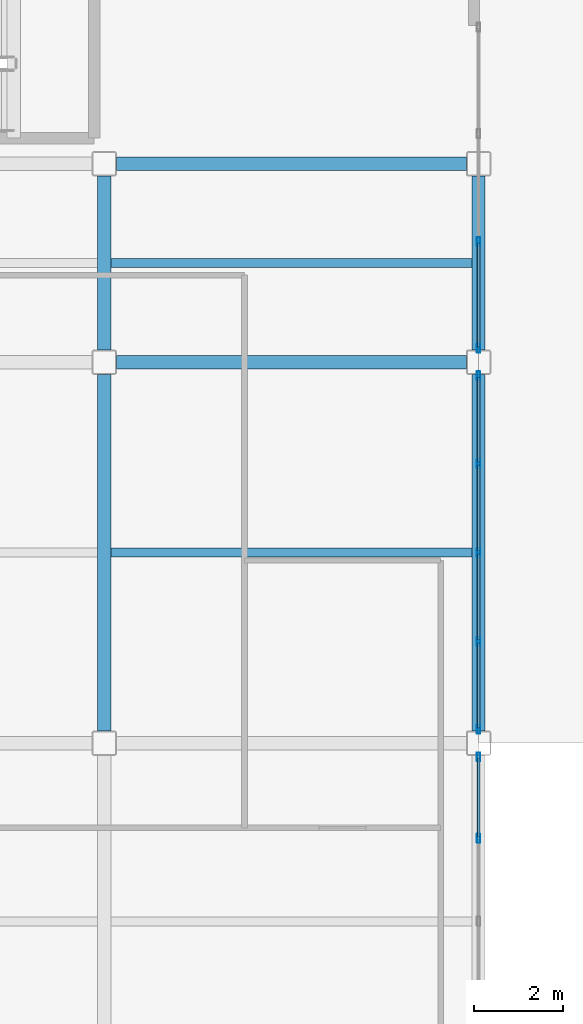
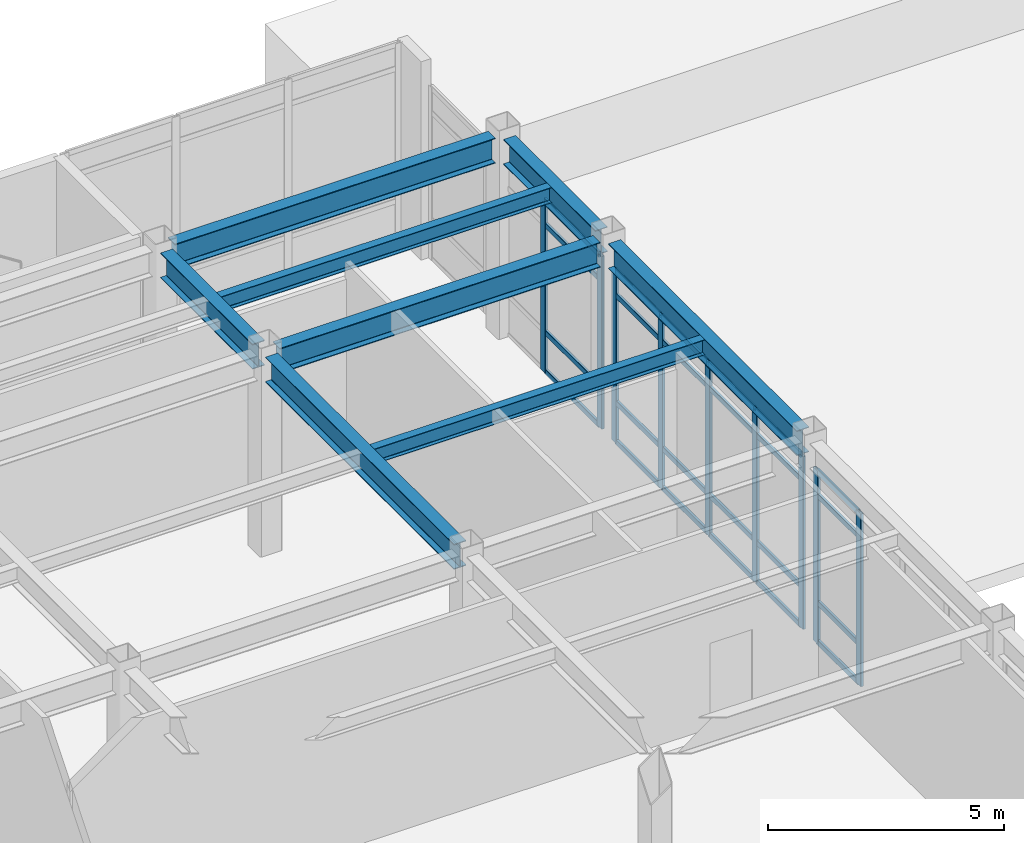
# One storey, part 80 of 165: 33 members, 8 beams, 3 elements without a shape of their own.
"""IFC4 building model written with IfcOpenShell, lengths in metres."""

from ifc_helpers import new_model, si_unit, direction, frame, origin, origin_2d, place, context, subcontext, project, spatial, hollow_rectangle, i_section, extrude, material, layer, layer_set, material_profile, profile_set, type_object, element, aggregate, save


model = new_model("IFC4")

# Units and contexts
model_context = context("Model", 3, precision=1e-05, world=origin(), true_north=direction((0.0, 1.0)))
body_context = subcontext(model_context, "Body", "Model", "MODEL_VIEW")
ifc_project = project(units=[si_unit("LENGTHUNIT", "METRE"), si_unit("AREAUNIT", "SQUARE_METRE"), si_unit("VOLUMEUNIT", "CUBIC_METRE"), si_unit("PLANEANGLEUNIT", "RADIAN"), si_unit("MASSUNIT", "GRAM", prefix="KILO")], contexts=[model_context])

# Site, building, storey
site_placement = place(None, origin())
site = spatial("IfcSite", under=ifc_project, at=site_placement, CompositionType="ELEMENT")
building_placement = place(site_placement, origin())
building = spatial("IfcBuilding", under=site, at=building_placement, Name="Kazehara Bluff Congress Hotel", CompositionType="ELEMENT")
storey_placement = place(building_placement, origin())
storey = spatial("IfcBuildingStorey", under=building, at=storey_placement, Name="L00", CompositionType="ELEMENT", Elevation=0.0)

# Curtain wall, members
ifc_material_1 = material(Name="Anodised aluminium", Category="aluminium")
ifc_layer_1 = layer(ifc_material_1, 0.159912109375)
ifc_layer_set_1 = layer_set([ifc_layer_1], Name="Anodised aluminium")
curtain_wall_type_1 = type_object("IfcCurtainWallType", Name="TP-CW-40", PredefinedType="NOTDEFINED", material=ifc_layer_set_1)
curtain_wall_1_placement = place(storey_placement, origin())
curtain_wall_1 = element("IfcCurtainWall", 1, at=curtain_wall_1_placement, inside=storey, type_object=curtain_wall_type_1, Name="L00 curtain wall CW-40 CW-V3-L00-X10125-8918", PredefinedType="NOTDEFINED")
ifc_material_2 = material(Name="Anodised aluminium", Category="aluminium")
ifc_material_profile_1 = material_profile(ifc_material_2, hollow_rectangle(XDim=0.070068359375, YDim=0.199951171875, WallThickness=0.0048828125, InnerFilletRadius=0.0048828125, OuterFilletRadius=0.010009765625, at=origin_2d()))
ifc_profile_set_1 = profile_set([ifc_material_profile_1], Name="Anodised aluminium")
member_type_1 = type_object("IfcMemberType", Name="TP-CWM-03", PredefinedType="MULLION", material=ifc_profile_set_1)
member_1_placement = place(storey_placement, frame((101.25, 94.762451171875, 0.0), z_axis=(0.0, 0.0, 1.0), x_axis=(-1.0, 0.0, 0.0)))
member_1 = element("IfcMember", 2, at=member_1_placement, type_object=member_type_1, Name="CW-40 mullion 4", PredefinedType="MULLION", context=body_context, shape_type="SweptSolid", body=[
    extrude(hollow_rectangle(XDim=0.070068359375, YDim=0.199951171875, WallThickness=0.0048828125, InnerFilletRadius=0.0048828125, OuterFilletRadius=0.010009765625, at=origin_2d()), origin(), (0.0, 0.0, 1.0), 4.47509765625),
])
member_2_placement = place(storey_placement, frame((101.25, 96.590087890625, 0.0), z_axis=(0.0, 0.0, 1.0), x_axis=(-1.0, 0.0, 0.0)))
member_2 = element("IfcMember", 3, at=member_2_placement, type_object=member_type_1, Name="CW-40 mullion 5", PredefinedType="MULLION", context=body_context, shape_type="SweptSolid", body=[
    extrude(hollow_rectangle(XDim=0.070068359375, YDim=0.199951171875, WallThickness=0.0048828125, InnerFilletRadius=0.0048828125, OuterFilletRadius=0.010009765625, at=origin_2d()), origin(), (0.0, 0.0, 1.0), 4.47509765625),
])

ifc_material_3 = material(Name="Anodised aluminium", Category="aluminium")
ifc_layer_2 = layer(ifc_material_3, 0.159912109375)
ifc_layer_set_2 = layer_set([ifc_layer_2], Name="Anodised aluminium")
curtain_wall_type_2 = type_object("IfcCurtainWallType", Name="TP-CW-41", PredefinedType="NOTDEFINED", material=ifc_layer_set_2)
curtain_wall_2_placement = place(storey_placement, origin())
curtain_wall_2 = element("IfcCurtainWall", 4, at=curtain_wall_2_placement, inside=storey, type_object=curtain_wall_type_2, Name="L00 curtain wall CW-41 CW-V3-L00-X10125-9718", PredefinedType="NOTDEFINED")
member_3_placement = place(storey_placement, frame((101.25, 97.2099609375, 0.0), z_axis=(0.0, 0.0, 1.0), x_axis=(-1.0, 0.0, 0.0)))
member_3 = element("IfcMember", 5, at=member_3_placement, type_object=member_type_1, Name="CW-41 mullion 1", PredefinedType="MULLION", context=body_context, shape_type="SweptSolid", body=[
    extrude(hollow_rectangle(XDim=0.070068359375, YDim=0.199951171875, WallThickness=0.0048828125, InnerFilletRadius=0.0048828125, OuterFilletRadius=0.010009765625, at=origin_2d()), origin(), (0.0, 0.0, 1.0), 4.47509765625),
])
member_4_placement = place(storey_placement, frame((101.25, 99.175048828125, 0.0), z_axis=(0.0, 0.0, 1.0), x_axis=(-1.0, 0.0, 0.0)))
member_4 = element("IfcMember", 6, at=member_4_placement, type_object=member_type_1, Name="CW-41 mullion 2", PredefinedType="MULLION", context=body_context, shape_type="SweptSolid", body=[
    extrude(hollow_rectangle(XDim=0.070068359375, YDim=0.199951171875, WallThickness=0.0048828125, InnerFilletRadius=0.0048828125, OuterFilletRadius=0.010009765625, at=origin_2d()), origin(), (0.0, 0.0, 1.0), 4.47509765625),
])
member_5_placement = place(storey_placement, frame((101.25, 101.175048828125, 0.0), z_axis=(0.0, 0.0, 1.0), x_axis=(-1.0, 0.0, 0.0)))
member_5 = element("IfcMember", 7, at=member_5_placement, type_object=member_type_1, Name="CW-41 mullion 3", PredefinedType="MULLION", context=body_context, shape_type="SweptSolid", body=[
    extrude(hollow_rectangle(XDim=0.070068359375, YDim=0.199951171875, WallThickness=0.0048828125, InnerFilletRadius=0.0048828125, OuterFilletRadius=0.010009765625, at=origin_2d()), origin(), (0.0, 0.0, 1.0), 4.47509765625),
])
member_6_placement = place(storey_placement, frame((101.25, 103.175048828125, 0.0), z_axis=(0.0, 0.0, 1.0), x_axis=(-1.0, 0.0, 0.0)))
member_6 = element("IfcMember", 8, at=member_6_placement, type_object=member_type_1, Name="CW-41 mullion 4", PredefinedType="MULLION", context=body_context, shape_type="SweptSolid", body=[
    extrude(hollow_rectangle(XDim=0.070068359375, YDim=0.199951171875, WallThickness=0.0048828125, InnerFilletRadius=0.0048828125, OuterFilletRadius=0.010009765625, at=origin_2d()), origin(), (0.0, 0.0, 1.0), 4.47509765625),
])
member_7_placement = place(storey_placement, frame((101.25, 105.139892578125, 0.0), z_axis=(0.0, 0.0, 1.0), x_axis=(-1.0, 0.0, 0.0)))
member_7 = element("IfcMember", 9, at=member_7_placement, type_object=member_type_1, Name="CW-41 mullion 5", PredefinedType="MULLION", context=body_context, shape_type="SweptSolid", body=[
    extrude(hollow_rectangle(XDim=0.070068359375, YDim=0.199951171875, WallThickness=0.0048828125, InnerFilletRadius=0.0048828125, OuterFilletRadius=0.010009765625, at=origin_2d()), origin(), (0.0, 0.0, 1.0), 4.47509765625),
])

ifc_material_4 = material(Name="Anodised aluminium", Category="aluminium")
ifc_layer_3 = layer(ifc_material_4, 0.159912109375)
ifc_layer_set_3 = layer_set([ifc_layer_3], Name="Anodised aluminium")
curtain_wall_type_3 = type_object("IfcCurtainWallType", Name="TP-CW-42", PredefinedType="NOTDEFINED", material=ifc_layer_set_3)
curtain_wall_3_placement = place(storey_placement, origin())
curtain_wall_3 = element("IfcCurtainWall", 10, at=curtain_wall_3_placement, inside=storey, type_object=curtain_wall_type_3, Name="L00 curtain wall CW-42 CW-V3-L00-X10125-10572", PredefinedType="NOTDEFINED")
member_8_placement = place(storey_placement, frame((101.25, 105.760009765625, 0.0), z_axis=(0.0, 0.0, 1.0), x_axis=(-1.0, 0.0, 0.0)))
member_8 = element("IfcMember", 11, at=member_8_placement, type_object=member_type_1, Name="CW-42 mullion 1", PredefinedType="MULLION", context=body_context, shape_type="SweptSolid", body=[
    extrude(hollow_rectangle(XDim=0.070068359375, YDim=0.199951171875, WallThickness=0.0048828125, InnerFilletRadius=0.0048828125, OuterFilletRadius=0.010009765625, at=origin_2d()), origin(), (0.0, 0.0, 1.0), 4.47509765625),
])
member_9_placement = place(storey_placement, frame((101.25, 108.14990234375, 0.0), z_axis=(0.0, 0.0, 1.0), x_axis=(-1.0, 0.0, 0.0)))
member_9 = element("IfcMember", 12, at=member_9_placement, type_object=member_type_1, Name="CW-42 mullion 2", PredefinedType="MULLION", context=body_context, shape_type="SweptSolid", body=[
    extrude(hollow_rectangle(XDim=0.070068359375, YDim=0.199951171875, WallThickness=0.0048828125, InnerFilletRadius=0.0048828125, OuterFilletRadius=0.010009765625, at=origin_2d()), origin(), (0.0, 0.0, 1.0), 4.47509765625),
])

# Member
ifc_material_5 = material(Name="Anodised aluminium", Category="aluminium")
ifc_material_profile_2 = material_profile(ifc_material_5, hollow_rectangle(XDim=0.06494140625, YDim=0.139892578125, WallThickness=0.00390625, InnerFilletRadius=0.00390625, OuterFilletRadius=0.008056640625, at=origin_2d()))
ifc_profile_set_2 = profile_set([ifc_material_profile_2], Name="Anodised aluminium")
member_type_2 = type_object("IfcMemberType", Name="TP-CWT-02", PredefinedType="USERDEFINED", material=ifc_profile_set_2)
member_10_placement = place(storey_placement, frame((101.25, 94.797607421875, 0.032470703125), z_axis=(0.0, 1.0, 0.0), x_axis=(-1.0, 0.0, 0.0)))
member_10 = element("IfcMember", 13, at=member_10_placement, type_object=member_type_2, Name="CW-40 transom 4.1", ObjectType="TRANSOM", PredefinedType="USERDEFINED", context=body_context, shape_type="SweptSolid", body=[
    extrude(hollow_rectangle(XDim=0.06494140625, YDim=0.139892578125, WallThickness=0.00390625, InnerFilletRadius=0.00390625, OuterFilletRadius=0.008056640625, at=origin_2d()), origin(), (0.0, 0.0, 1.0), 1.75732421875),
])

member_11_placement = place(storey_placement, frame((101.25, 94.797607421875, 1.050048828125), z_axis=(0.0, 1.0, 0.0), x_axis=(-1.0, 0.0, 0.0)))
member_11 = element("IfcMember", 14, at=member_11_placement, type_object=member_type_2, Name="CW-40 transom 4.2", ObjectType="TRANSOM", PredefinedType="USERDEFINED", context=body_context, shape_type="SweptSolid", body=[
    extrude(hollow_rectangle(XDim=0.06494140625, YDim=0.139892578125, WallThickness=0.00390625, InnerFilletRadius=0.00390625, OuterFilletRadius=0.008056640625, at=origin_2d()), origin(), (0.0, 0.0, 1.0), 1.75732421875),
])

member_12_placement = place(storey_placement, frame((101.25, 94.797607421875, 3.824951171875), z_axis=(0.0, 1.0, 0.0), x_axis=(-1.0, 0.0, 0.0)))
member_12 = element("IfcMember", 15, at=member_12_placement, type_object=member_type_2, Name="CW-40 transom 4.3", ObjectType="TRANSOM", PredefinedType="USERDEFINED", context=body_context, shape_type="SweptSolid", body=[
    extrude(hollow_rectangle(XDim=0.06494140625, YDim=0.139892578125, WallThickness=0.00390625, InnerFilletRadius=0.00390625, OuterFilletRadius=0.008056640625, at=origin_2d()), origin(), (0.0, 0.0, 1.0), 1.75732421875),
])

member_13_placement = place(storey_placement, frame((101.25, 94.797607421875, 4.4423828125), z_axis=(0.0, 1.0, 0.0), x_axis=(-1.0, 0.0, 0.0)))
member_13 = element("IfcMember", 16, at=member_13_placement, type_object=member_type_2, Name="CW-40 transom 4.4", ObjectType="TRANSOM", PredefinedType="USERDEFINED", context=body_context, shape_type="SweptSolid", body=[
    extrude(hollow_rectangle(XDim=0.06494140625, YDim=0.139892578125, WallThickness=0.00390625, InnerFilletRadius=0.00390625, OuterFilletRadius=0.008056640625, at=origin_2d()), origin(), (0.0, 0.0, 1.0), 1.75732421875),
])

aggregate(curtain_wall_1, [member_1, member_2, member_10, member_11, member_12, member_13])

member_14_placement = place(storey_placement, frame((101.25, 97.2451171875, 0.032470703125), z_axis=(0.0, 1.0, 0.0), x_axis=(-1.0, 0.0, 0.0)))
member_14 = element("IfcMember", 17, at=member_14_placement, type_object=member_type_2, Name="CW-41 transom 1.1", ObjectType="TRANSOM", PredefinedType="USERDEFINED", context=body_context, shape_type="SweptSolid", body=[
    extrude(hollow_rectangle(XDim=0.06494140625, YDim=0.139892578125, WallThickness=0.00390625, InnerFilletRadius=0.00390625, OuterFilletRadius=0.008056640625, at=origin_2d()), origin(), (0.0, 0.0, 1.0), 1.894775390625),
])

member_15_placement = place(storey_placement, frame((101.25, 97.2451171875, 1.050048828125), z_axis=(0.0, 1.0, 0.0), x_axis=(-1.0, 0.0, 0.0)))
member_15 = element("IfcMember", 18, at=member_15_placement, type_object=member_type_2, Name="CW-41 transom 1.2", ObjectType="TRANSOM", PredefinedType="USERDEFINED", context=body_context, shape_type="SweptSolid", body=[
    extrude(hollow_rectangle(XDim=0.06494140625, YDim=0.139892578125, WallThickness=0.00390625, InnerFilletRadius=0.00390625, OuterFilletRadius=0.008056640625, at=origin_2d()), origin(), (0.0, 0.0, 1.0), 1.894775390625),
])

member_16_placement = place(storey_placement, frame((101.25, 97.2451171875, 3.824951171875), z_axis=(0.0, 1.0, 0.0), x_axis=(-1.0, 0.0, 0.0)))
member_16 = element("IfcMember", 19, at=member_16_placement, type_object=member_type_2, Name="CW-41 transom 1.3", ObjectType="TRANSOM", PredefinedType="USERDEFINED", context=body_context, shape_type="SweptSolid", body=[
    extrude(hollow_rectangle(XDim=0.06494140625, YDim=0.139892578125, WallThickness=0.00390625, InnerFilletRadius=0.00390625, OuterFilletRadius=0.008056640625, at=origin_2d()), origin(), (0.0, 0.0, 1.0), 1.894775390625),
])

member_17_placement = place(storey_placement, frame((101.25, 97.2451171875, 4.4423828125), z_axis=(0.0, 1.0, 0.0), x_axis=(-1.0, 0.0, 0.0)))
member_17 = element("IfcMember", 20, at=member_17_placement, type_object=member_type_2, Name="CW-41 transom 1.4", ObjectType="TRANSOM", PredefinedType="USERDEFINED", context=body_context, shape_type="SweptSolid", body=[
    extrude(hollow_rectangle(XDim=0.06494140625, YDim=0.139892578125, WallThickness=0.00390625, InnerFilletRadius=0.00390625, OuterFilletRadius=0.008056640625, at=origin_2d()), origin(), (0.0, 0.0, 1.0), 1.894775390625),
])

member_18_placement = place(storey_placement, frame((101.25, 99.2099609375, 0.032470703125), z_axis=(0.0, 1.0, 0.0), x_axis=(-1.0, 0.0, 0.0)))
member_18 = element("IfcMember", 21, at=member_18_placement, type_object=member_type_2, Name="CW-41 transom 2.1", ObjectType="TRANSOM", PredefinedType="USERDEFINED", context=body_context, shape_type="SweptSolid", body=[
    extrude(hollow_rectangle(XDim=0.06494140625, YDim=0.139892578125, WallThickness=0.00390625, InnerFilletRadius=0.00390625, OuterFilletRadius=0.008056640625, at=origin_2d()), origin(), (0.0, 0.0, 1.0), 1.929931640625),
])

member_19_placement = place(storey_placement, frame((101.25, 99.2099609375, 1.050048828125), z_axis=(0.0, 1.0, 0.0), x_axis=(-1.0, 0.0, 0.0)))
member_19 = element("IfcMember", 22, at=member_19_placement, type_object=member_type_2, Name="CW-41 transom 2.2", ObjectType="TRANSOM", PredefinedType="USERDEFINED", context=body_context, shape_type="SweptSolid", body=[
    extrude(hollow_rectangle(XDim=0.06494140625, YDim=0.139892578125, WallThickness=0.00390625, InnerFilletRadius=0.00390625, OuterFilletRadius=0.008056640625, at=origin_2d()), origin(), (0.0, 0.0, 1.0), 1.929931640625),
])

member_20_placement = place(storey_placement, frame((101.25, 99.2099609375, 3.824951171875), z_axis=(0.0, 1.0, 0.0), x_axis=(-1.0, 0.0, 0.0)))
member_20 = element("IfcMember", 23, at=member_20_placement, type_object=member_type_2, Name="CW-41 transom 2.3", ObjectType="TRANSOM", PredefinedType="USERDEFINED", context=body_context, shape_type="SweptSolid", body=[
    extrude(hollow_rectangle(XDim=0.06494140625, YDim=0.139892578125, WallThickness=0.00390625, InnerFilletRadius=0.00390625, OuterFilletRadius=0.008056640625, at=origin_2d()), origin(), (0.0, 0.0, 1.0), 1.929931640625),
])

member_21_placement = place(storey_placement, frame((101.25, 99.2099609375, 4.4423828125), z_axis=(0.0, 1.0, 0.0), x_axis=(-1.0, 0.0, 0.0)))
member_21 = element("IfcMember", 24, at=member_21_placement, type_object=member_type_2, Name="CW-41 transom 2.4", ObjectType="TRANSOM", PredefinedType="USERDEFINED", context=body_context, shape_type="SweptSolid", body=[
    extrude(hollow_rectangle(XDim=0.06494140625, YDim=0.139892578125, WallThickness=0.00390625, InnerFilletRadius=0.00390625, OuterFilletRadius=0.008056640625, at=origin_2d()), origin(), (0.0, 0.0, 1.0), 1.929931640625),
])

member_22_placement = place(storey_placement, frame((101.25, 101.2099609375, 0.032470703125), z_axis=(0.0, 1.0, 0.0), x_axis=(-1.0, 0.0, 0.0)))
member_22 = element("IfcMember", 25, at=member_22_placement, type_object=member_type_2, Name="CW-41 transom 3.1", ObjectType="TRANSOM", PredefinedType="USERDEFINED", context=body_context, shape_type="SweptSolid", body=[
    extrude(hollow_rectangle(XDim=0.06494140625, YDim=0.139892578125, WallThickness=0.00390625, InnerFilletRadius=0.00390625, OuterFilletRadius=0.008056640625, at=origin_2d()), origin(), (0.0, 0.0, 1.0), 1.929931640625),
])

member_23_placement = place(storey_placement, frame((101.25, 101.2099609375, 1.050048828125), z_axis=(0.0, 1.0, 0.0), x_axis=(-1.0, 0.0, 0.0)))
member_23 = element("IfcMember", 26, at=member_23_placement, type_object=member_type_2, Name="CW-41 transom 3.2", ObjectType="TRANSOM", PredefinedType="USERDEFINED", context=body_context, shape_type="SweptSolid", body=[
    extrude(hollow_rectangle(XDim=0.06494140625, YDim=0.139892578125, WallThickness=0.00390625, InnerFilletRadius=0.00390625, OuterFilletRadius=0.008056640625, at=origin_2d()), origin(), (0.0, 0.0, 1.0), 1.929931640625),
])

member_24_placement = place(storey_placement, frame((101.25, 101.2099609375, 3.824951171875), z_axis=(0.0, 1.0, 0.0), x_axis=(-1.0, 0.0, 0.0)))
member_24 = element("IfcMember", 27, at=member_24_placement, type_object=member_type_2, Name="CW-41 transom 3.3", ObjectType="TRANSOM", PredefinedType="USERDEFINED", context=body_context, shape_type="SweptSolid", body=[
    extrude(hollow_rectangle(XDim=0.06494140625, YDim=0.139892578125, WallThickness=0.00390625, InnerFilletRadius=0.00390625, OuterFilletRadius=0.008056640625, at=origin_2d()), origin(), (0.0, 0.0, 1.0), 1.929931640625),
])

member_25_placement = place(storey_placement, frame((101.25, 101.2099609375, 4.4423828125), z_axis=(0.0, 1.0, 0.0), x_axis=(-1.0, 0.0, 0.0)))
member_25 = element("IfcMember", 28, at=member_25_placement, type_object=member_type_2, Name="CW-41 transom 3.4", ObjectType="TRANSOM", PredefinedType="USERDEFINED", context=body_context, shape_type="SweptSolid", body=[
    extrude(hollow_rectangle(XDim=0.06494140625, YDim=0.139892578125, WallThickness=0.00390625, InnerFilletRadius=0.00390625, OuterFilletRadius=0.008056640625, at=origin_2d()), origin(), (0.0, 0.0, 1.0), 1.929931640625),
])

member_26_placement = place(storey_placement, frame((101.25, 103.2099609375, 0.032470703125), z_axis=(0.0, 1.0, 0.0), x_axis=(-1.0, 0.0, 0.0)))
member_26 = element("IfcMember", 29, at=member_26_placement, type_object=member_type_2, Name="CW-41 transom 4.1", ObjectType="TRANSOM", PredefinedType="USERDEFINED", context=body_context, shape_type="SweptSolid", body=[
    extrude(hollow_rectangle(XDim=0.06494140625, YDim=0.139892578125, WallThickness=0.00390625, InnerFilletRadius=0.00390625, OuterFilletRadius=0.008056640625, at=origin_2d()), origin(), (0.0, 0.0, 1.0), 1.89501953125),
])

member_27_placement = place(storey_placement, frame((101.25, 103.2099609375, 1.050048828125), z_axis=(0.0, 1.0, 0.0), x_axis=(-1.0, 0.0, 0.0)))
member_27 = element("IfcMember", 30, at=member_27_placement, type_object=member_type_2, Name="CW-41 transom 4.2", ObjectType="TRANSOM", PredefinedType="USERDEFINED", context=body_context, shape_type="SweptSolid", body=[
    extrude(hollow_rectangle(XDim=0.06494140625, YDim=0.139892578125, WallThickness=0.00390625, InnerFilletRadius=0.00390625, OuterFilletRadius=0.008056640625, at=origin_2d()), origin(), (0.0, 0.0, 1.0), 1.89501953125),
])

member_28_placement = place(storey_placement, frame((101.25, 103.2099609375, 3.824951171875), z_axis=(0.0, 1.0, 0.0), x_axis=(-1.0, 0.0, 0.0)))
member_28 = element("IfcMember", 31, at=member_28_placement, type_object=member_type_2, Name="CW-41 transom 4.3", ObjectType="TRANSOM", PredefinedType="USERDEFINED", context=body_context, shape_type="SweptSolid", body=[
    extrude(hollow_rectangle(XDim=0.06494140625, YDim=0.139892578125, WallThickness=0.00390625, InnerFilletRadius=0.00390625, OuterFilletRadius=0.008056640625, at=origin_2d()), origin(), (0.0, 0.0, 1.0), 1.89501953125),
])

member_29_placement = place(storey_placement, frame((101.25, 103.2099609375, 4.4423828125), z_axis=(0.0, 1.0, 0.0), x_axis=(-1.0, 0.0, 0.0)))
member_29 = element("IfcMember", 32, at=member_29_placement, type_object=member_type_2, Name="CW-41 transom 4.4", ObjectType="TRANSOM", PredefinedType="USERDEFINED", context=body_context, shape_type="SweptSolid", body=[
    extrude(hollow_rectangle(XDim=0.06494140625, YDim=0.139892578125, WallThickness=0.00390625, InnerFilletRadius=0.00390625, OuterFilletRadius=0.008056640625, at=origin_2d()), origin(), (0.0, 0.0, 1.0), 1.89501953125),
])

aggregate(curtain_wall_2, [member_3, member_4, member_5, member_6, member_7, member_14, member_15, member_16, member_17, member_18, member_19, member_20, member_21, member_22, member_23, member_24, member_25, member_26, member_27, member_28, member_29])

member_30_placement = place(storey_placement, frame((101.25, 105.794921875, 0.032470703125), z_axis=(0.0, 1.0, 0.0), x_axis=(-1.0, 0.0, 0.0)))
member_30 = element("IfcMember", 33, at=member_30_placement, type_object=member_type_2, Name="CW-42 transom 1.1", ObjectType="TRANSOM", PredefinedType="USERDEFINED", context=body_context, shape_type="SweptSolid", body=[
    extrude(hollow_rectangle(XDim=0.06494140625, YDim=0.139892578125, WallThickness=0.00390625, InnerFilletRadius=0.00390625, OuterFilletRadius=0.008056640625, at=origin_2d()), origin(), (0.0, 0.0, 1.0), 2.320068359375),
])

member_31_placement = place(storey_placement, frame((101.25, 105.794921875, 1.050048828125), z_axis=(0.0, 1.0, 0.0), x_axis=(-1.0, 0.0, 0.0)))
member_31 = element("IfcMember", 34, at=member_31_placement, type_object=member_type_2, Name="CW-42 transom 1.2", ObjectType="TRANSOM", PredefinedType="USERDEFINED", context=body_context, shape_type="SweptSolid", body=[
    extrude(hollow_rectangle(XDim=0.06494140625, YDim=0.139892578125, WallThickness=0.00390625, InnerFilletRadius=0.00390625, OuterFilletRadius=0.008056640625, at=origin_2d()), origin(), (0.0, 0.0, 1.0), 2.320068359375),
])

member_32_placement = place(storey_placement, frame((101.25, 105.794921875, 3.824951171875), z_axis=(0.0, 1.0, 0.0), x_axis=(-1.0, 0.0, 0.0)))
member_32 = element("IfcMember", 35, at=member_32_placement, type_object=member_type_2, Name="CW-42 transom 1.3", ObjectType="TRANSOM", PredefinedType="USERDEFINED", context=body_context, shape_type="SweptSolid", body=[
    extrude(hollow_rectangle(XDim=0.06494140625, YDim=0.139892578125, WallThickness=0.00390625, InnerFilletRadius=0.00390625, OuterFilletRadius=0.008056640625, at=origin_2d()), origin(), (0.0, 0.0, 1.0), 2.320068359375),
])

member_33_placement = place(storey_placement, frame((101.25, 105.794921875, 4.4423828125), z_axis=(0.0, 1.0, 0.0), x_axis=(-1.0, 0.0, 0.0)))
member_33 = element("IfcMember", 36, at=member_33_placement, type_object=member_type_2, Name="CW-42 transom 1.4", ObjectType="TRANSOM", PredefinedType="USERDEFINED", context=body_context, shape_type="SweptSolid", body=[
    extrude(hollow_rectangle(XDim=0.06494140625, YDim=0.139892578125, WallThickness=0.00390625, InnerFilletRadius=0.00390625, OuterFilletRadius=0.008056640625, at=origin_2d()), origin(), (0.0, 0.0, 1.0), 2.320068359375),
])

aggregate(curtain_wall_3, [member_8, member_9, member_30, member_31, member_32, member_33])

# Beams
ifc_material_6 = material(Name="Steel SN490B", Category="steel")
ifc_material_profile_3 = material_profile(ifc_material_6, i_section(OverallWidth=0.300048828125, OverallDepth=0.64990234375, WebThickness=0.011962890625, FlangeThickness=0.02001953125, FilletRadius=0.012939453125, at=origin_2d()))
ifc_profile_set_3 = profile_set([ifc_material_profile_3], Name="Steel SN490B")
beam_type_1 = type_object("IfcBeamType", Name="TP-G-03", PredefinedType="BEAM", material=ifc_profile_set_3)
beam_1_placement = place(storey_placement, frame((92.85009765625, 97.175048828125, 4.824951171875), z_axis=(0.0, 1.0, 0.0), x_axis=(-1.0, 0.0, 0.0)))
element("IfcBeam", 37, at=beam_1_placement, inside=storey, type_object=beam_type_1, Name="L00 girder G-03 117", PredefinedType="BEAM", context=body_context, shape_type="SweptSolid", body=[
    extrude(i_section(OverallWidth=0.300048828125, OverallDepth=0.64990234375, WebThickness=0.011962890625, FlangeThickness=0.02001953125, FilletRadius=0.012939453125, at=origin_2d()), origin(), (0.0, 0.0, 1.0), 8.0),
])
beam_2_placement = place(storey_placement, frame((92.85009765625, 105.72509765625, 4.824951171875), z_axis=(0.0, 1.0, 0.0), x_axis=(-1.0, 0.0, 0.0)))
element("IfcBeam", 38, at=beam_2_placement, inside=storey, type_object=beam_type_1, Name="L00 girder G-03 118", PredefinedType="BEAM", context=body_context, shape_type="SweptSolid", body=[
    extrude(i_section(OverallWidth=0.300048828125, OverallDepth=0.64990234375, WebThickness=0.011962890625, FlangeThickness=0.02001953125, FilletRadius=0.012939453125, at=origin_2d()), origin(), (0.0, 0.0, 1.0), 3.89990234375),
])
beam_3_placement = place(storey_placement, frame((101.25, 97.175048828125, 4.824951171875), z_axis=(0.0, 1.0, 0.0), x_axis=(-1.0, 0.0, 0.0)))
element("IfcBeam", 39, at=beam_3_placement, inside=storey, type_object=beam_type_1, Name="L00 girder G-03 121", PredefinedType="BEAM", context=body_context, shape_type="SweptSolid", body=[
    extrude(i_section(OverallWidth=0.300048828125, OverallDepth=0.64990234375, WebThickness=0.011962890625, FlangeThickness=0.02001953125, FilletRadius=0.012939453125, at=origin_2d()), origin(), (0.0, 0.0, 1.0), 8.0),
])
beam_4_placement = place(storey_placement, frame((101.25, 105.72509765625, 4.824951171875), z_axis=(0.0, 1.0, 0.0), x_axis=(-1.0, 0.0, 0.0)))
element("IfcBeam", 40, at=beam_4_placement, inside=storey, type_object=beam_type_1, Name="L00 girder G-03 122", PredefinedType="BEAM", context=body_context, shape_type="SweptSolid", body=[
    extrude(i_section(OverallWidth=0.300048828125, OverallDepth=0.64990234375, WebThickness=0.011962890625, FlangeThickness=0.02001953125, FilletRadius=0.012939453125, at=origin_2d()), origin(), (0.0, 0.0, 1.0), 3.89990234375),
])
for number, where, z_axis, x_axis, name in (
    (41, (93.125, 105.449951171875, 4.824951171875), (1.0, 0.0, 0.0), (0.0, 1.0, 0.0), "L00 girder G-03 142"),
    (42, (93.125, 109.89990234375, 4.824951171875), (1.0, 0.0, 0.0), (0.0, 1.0, 0.0), "L00 girder G-03 147"),
):
    element("IfcBeam", number, at=place(storey_placement, frame(where, z_axis=z_axis, x_axis=x_axis)), inside=storey, type_object=beam_type_1, Name=name, PredefinedType="BEAM", context=body_context, shape_type="SweptSolid", body=[
        extrude(i_section(OverallWidth=0.300048828125, OverallDepth=0.64990234375, WebThickness=0.011962890625, FlangeThickness=0.02001953125, FilletRadius=0.012939453125, at=origin_2d()), origin(), (0.0, 0.0, 1.0), 7.85009765625),
    ])
ifc_material_7 = material(Name="Steel SN400B", Category="steel")
ifc_material_profile_4 = material_profile(ifc_material_7, i_section(OverallWidth=0.199951171875, OverallDepth=0.39990234375, WebThickness=0.008056640625, FlangeThickness=0.012939453125, FilletRadius=0.012939453125, at=origin_2d()))
ifc_profile_set_4 = profile_set([ifc_material_profile_4], Name="Steel SN400B")
beam_type_2 = type_object("IfcBeamType", Name="TP-J-03", PredefinedType="JOIST", material=ifc_profile_set_4)
for number, where, z_axis, x_axis, name in (
    (43, (93.0, 101.175048828125, 4.949951171875), (1.0, 0.0, 0.0), (0.0, 1.0, 0.0), "L00 secondary joist J-03 29"),
    (44, (93.0, 107.675048828125, 4.949951171875), (1.0, 0.0, 0.0), (0.0, 1.0, 0.0), "L00 secondary joist J-03 30"),
):
    element("IfcBeam", number, at=place(storey_placement, frame(where, z_axis=z_axis, x_axis=x_axis)), inside=storey, type_object=beam_type_2, Name=name, PredefinedType="JOIST", context=body_context, shape_type="SweptSolid", body=[
        extrude(i_section(OverallWidth=0.199951171875, OverallDepth=0.39990234375, WebThickness=0.008056640625, FlangeThickness=0.012939453125, FilletRadius=0.012939453125, at=origin_2d()), origin(), (0.0, 0.0, 1.0), 8.10009765625),
    ])

save(model, "model.ifc")
